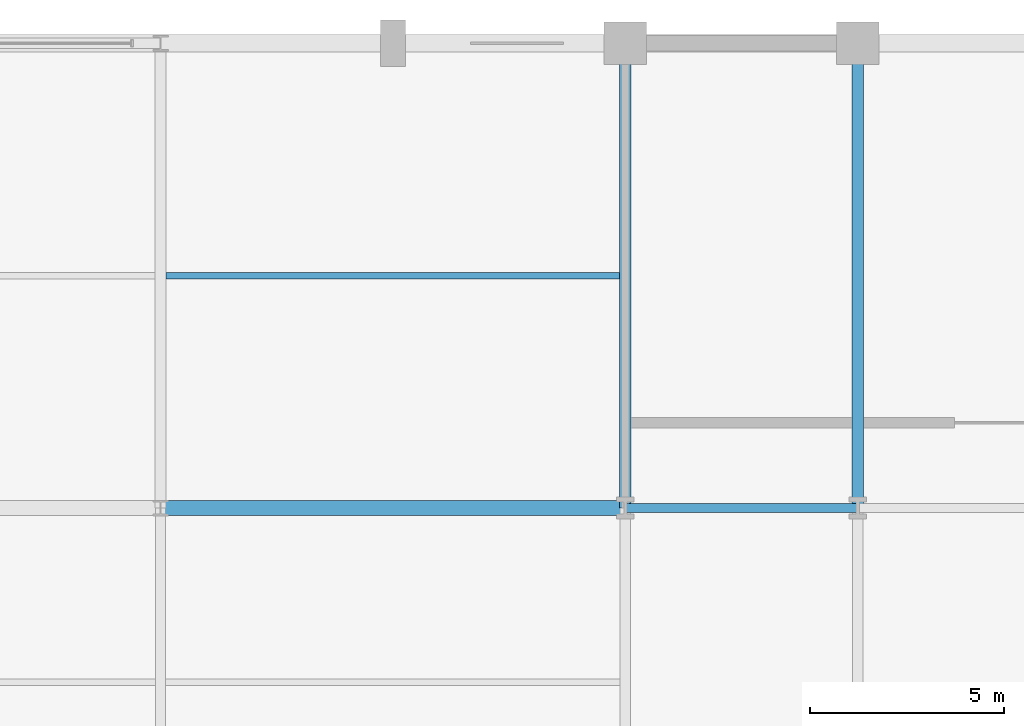
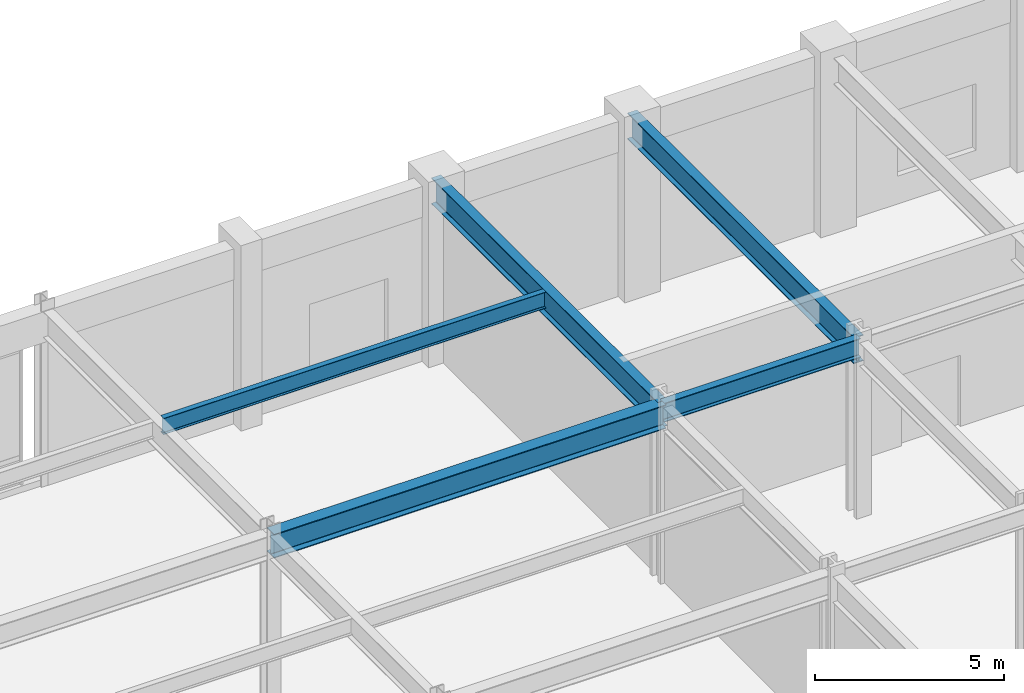
# One storey, part 29 of 105: 5 beams.
"""IFC4 building model written with IfcOpenShell, lengths in metres."""

import ifcopenshell
import ifcopenshell.guid

model = None  # the IFC model being written
_history = None  # IfcOwnerHistory: only IFC2X3 demands one
_inside = {}  # id of a spatial element -> (the spatial element, [elements in it])
_under = {}  # id of a project, library or spatial element -> (it, [spatial elements below it])
_declared = {}  # id of a project -> (the project, [libraries it declares])
_typed = {}  # id of a type object -> (the type object, [elements of that type])
_made_of = {}  # id of a material, layer set ... -> (it, [elements and type objects made of it])


def new_model(schema):
    """Start an empty IFC model of exactly this schema.

    Asked for "IFC4X3", IfcOpenShell would pick the latest addendum, in which some entities
    have other attributes; the version numbers below select the first issue.
    IFC2X3 requires an IfcOwnerHistory on every rooted entity: one is made here for all.
    """
    global model, _history
    if schema == "IFC4X3":
        model = ifcopenshell.file(schema_version=(4, 3, 0, 0))
    else:
        model = ifcopenshell.file(schema=schema)
    _inside.clear()
    _under.clear()
    _declared.clear()
    _typed.clear()
    _made_of.clear()
    _history = None
    if model.schema == "IFC2X3":
        org = make("IfcOrganization", Name="unknown")
        user = make(
            "IfcPersonAndOrganization",
            ThePerson=make("IfcPerson", FamilyName="unknown"),
            TheOrganization=org,
        )
        app = make(
            "IfcApplication",
            ApplicationDeveloper=org,
            Version="unknown",
            ApplicationFullName="unknown",
            ApplicationIdentifier="unknown",
        )
        _history = make(
            "IfcOwnerHistory",
            OwningUser=user,
            OwningApplication=app,
            ChangeAction="ADDED",
            CreationDate=0,
        )
    return model


def make(cls, **values):
    """One entity of the class cls with the attributes given. An attribute that is None is left unset."""
    return model.create_entity(
        cls, **{name: value for name, value in values.items() if value is not None}
    )


def rooted(cls, **values):
    """An entity with a GlobalId (a new one), such as an element, a storey or a relation."""
    return make(cls, GlobalId=ifcopenshell.guid.new(), OwnerHistory=_history, **values)


def si_unit(unit_type, name, prefix=None):
    """IfcSIUnit, for example si_unit("LENGTHUNIT", "METRE", prefix="MILLI")."""
    return make("IfcSIUnit", UnitType=unit_type, Prefix=prefix, Name=name)


def assignment(units):
    """IfcUnitAssignment: the units of a project."""
    return None if units is None else make("IfcUnitAssignment", Units=units)


def point(xyz):
    """IfcCartesianPoint."""
    return None if xyz is None else make("IfcCartesianPoint", Coordinates=xyz)


def direction(xyz):
    """IfcDirection."""
    return None if xyz is None else make("IfcDirection", DirectionRatios=xyz)


def frame(location, z_axis=None, x_axis=None):
    """IfcAxis2Placement3D, a coordinate frame: its origin and axes. An axis left out is left unset."""
    return make(
        "IfcAxis2Placement3D",
        Location=point(location),
        Axis=direction(z_axis),
        RefDirection=direction(x_axis),
    )


def frame_2d(location, x_axis=None):
    """IfcAxis2Placement2D, a coordinate frame in the plane: its origin and x axis."""
    return make(
        "IfcAxis2Placement2D", Location=point(location), RefDirection=direction(x_axis)
    )


def origin():
    """The frame at (0, 0, 0) with its axes left unset."""
    return frame((0.0, 0.0, 0.0))


def origin_2d():
    """The frame at (0, 0) in the plane with its x axis left unset."""
    return frame_2d((0.0, 0.0))


def place(relative_to, where):
    """IfcLocalPlacement: puts the frame where relative to a parent placement (None: the world)."""
    return make(
        "IfcLocalPlacement", PlacementRelTo=relative_to, RelativePlacement=where
    )


def context(
    kind, dimensions, precision=None, world=None, true_north=None, identifier=None
):
    """IfcGeometricRepresentationContext, for example the 3D "Model" context."""
    return make(
        "IfcGeometricRepresentationContext",
        ContextIdentifier=identifier,
        ContextType=kind,
        CoordinateSpaceDimension=dimensions,
        Precision=precision,
        WorldCoordinateSystem=world,
        TrueNorth=true_north,
    )


def subcontext(parent, identifier, kind, view, scale=None):
    """IfcGeometricRepresentationSubContext, for example "Body" below "Model"."""
    return make(
        "IfcGeometricRepresentationSubContext",
        ContextIdentifier=identifier,
        ContextType=kind,
        ParentContext=parent,
        TargetScale=scale,
        TargetView=view,
    )


def project(units=None, contexts=None):
    """IfcProject with its units and contexts."""
    return rooted(
        "IfcProject",
        Name="project",
        RepresentationContexts=contexts,
        UnitsInContext=assignment(units),
    )


def spatial(cls, under=None, at=None, **own):
    """A site, building, storey or space (cls), placed at a placement, below another one or the project."""
    s = rooted(cls, ObjectPlacement=at, **own)
    if under is not None:
        _under.setdefault(under.id(), (under, []))[1].append(s)
    return s


def profile(cls, at=None, kind="AREA", **sizes):
    """A parametric profile (cls). Its sizes go by their IFC names, for example OverallWidth=200.0."""
    return make(cls, ProfileType=kind, Position=at, **sizes)


def i_section(**sizes):
    """IfcIShapeProfileDef."""
    return profile("IfcIShapeProfileDef", **sizes)


def extrude(swept, where, along, depth):
    """IfcExtrudedAreaSolid: the profile swept, set in the frame where, extruded along a direction by depth."""
    return make(
        "IfcExtrudedAreaSolid",
        SweptArea=swept,
        Position=where,
        ExtrudedDirection=direction(along),
        Depth=depth,
    )


def shape(context_of_items, identifier, shape_type, items):
    """IfcShapeRepresentation: the items that make up one representation, for example the "Body"."""
    return make(
        "IfcShapeRepresentation",
        ContextOfItems=context_of_items,
        RepresentationIdentifier=identifier,
        RepresentationType=shape_type,
        Items=items,
    )


def material(Name=None, Category=None):
    """IfcMaterial."""
    return make("IfcMaterial", Name=Name, Category=Category)


def material_profile(
    of_material, cross_section, Name=None, Category=None, Priority=None
):
    """IfcMaterialProfile: a cross section and its material."""
    return make(
        "IfcMaterialProfile",
        Name=Name,
        Material=of_material,
        Profile=cross_section,
        Priority=Priority,
        Category=Category,
    )


def profile_set(profiles, Name=None, composite=None):
    """IfcMaterialProfileSet."""
    return make(
        "IfcMaterialProfileSet",
        Name=Name,
        MaterialProfiles=profiles,
        CompositeProfile=composite,
    )


def made_of(thing, what):
    """Note that an element or type object is made of a material, layer set ...; save() writes the relation."""
    if what is not None:
        _made_of.setdefault(what.id(), (what, []))[1].append(thing)
    return thing


def type_object(cls, material=None, **own):
    """A type object (cls), such as IfcWallType, which elements share."""
    return made_of(rooted(cls, **own), material)


def element(
    cls,
    number,
    at=None,
    inside=None,
    cuts=None,
    type_object=None,
    material=None,
    context=None,
    identifier="Body",
    shape_type=None,
    held_by="IfcProductDefinitionShape",
    body=None,
    shapes=None,
    **own,
):
    """One element of the class cls, such as IfcWall. Its Tag is "e" and its number.

    at: its placement. inside: the storey or other place that contains it. cuts: it is an
    opening in that element (IfcRelVoidsElement). A single representation is given by context,
    identifier, shape_type and body (its items); several are given by shapes. held_by: the class
    of the entity that holds the representations. save() writes the other relations.
    """
    e = rooted(cls, Tag="e%d" % number, ObjectPlacement=at, **own)
    if body is not None:
        shapes = [shape(context, identifier, shape_type, body)]
    if shapes is not None:
        e.Representation = make(held_by, Representations=shapes)
    if inside is not None:
        _inside.setdefault(inside.id(), (inside, []))[1].append(e)
    if cuts is not None:
        rooted(
            "IfcRelVoidsElement", RelatingBuildingElement=cuts, RelatedOpeningElement=e
        )
    if type_object is not None:
        _typed.setdefault(type_object.id(), (type_object, []))[1].append(e)
    return made_of(e, material)


def aggregate(whole, parts):
    """IfcRelAggregates: a whole, such as a stair, and the parts it consists of."""
    return rooted("IfcRelAggregates", RelatingObject=whole, RelatedObjects=parts)


def save(model, path):
    """Write the relations noted so far, then the file.

    IfcRelAggregates (storeys below a building ...), IfcRelContainedInSpatialStructure (elements
    in a storey), IfcRelDefinesByType, IfcRelAssociatesMaterial and IfcRelDeclares: one each for
    every whole, place, type object, material and project.
    """
    for whole, parts in _under.values():
        aggregate(whole, parts)
    for where, things in _inside.values():
        rooted(
            "IfcRelContainedInSpatialStructure",
            RelatedElements=things,
            RelatingStructure=where,
        )
    for kind, things in _typed.values():
        rooted("IfcRelDefinesByType", RelatedObjects=things, RelatingType=kind)
    for what, things in _made_of.values():
        rooted("IfcRelAssociatesMaterial", RelatedObjects=things, RelatingMaterial=what)
    for by, libraries in _declared.values():
        rooted("IfcRelDeclares", RelatingContext=by, RelatedDefinitions=libraries)
    model.write(path)


model = new_model("IFC4")

# Units and contexts
model_context = context("Model", 3, precision=1e-05, world=origin(), true_north=direction((0.0, 1.0)))
body_context = subcontext(model_context, "Body", "Model", "MODEL_VIEW")
ifc_project = project(units=[si_unit("LENGTHUNIT", "METRE"), si_unit("AREAUNIT", "SQUARE_METRE"), si_unit("VOLUMEUNIT", "CUBIC_METRE"), si_unit("PLANEANGLEUNIT", "RADIAN"), si_unit("MASSUNIT", "GRAM", prefix="KILO")], contexts=[model_context])

# Site, building, storey
site_placement = place(None, origin())
site = spatial("IfcSite", under=ifc_project, at=site_placement, CompositionType="ELEMENT")
building_placement = place(site_placement, origin())
building = spatial("IfcBuilding", under=site, at=building_placement, Name="Kaldorvane Square Convention Centre", CompositionType="ELEMENT")
storey_placement = place(building_placement, frame((0.0, 0.0, 6.0)))
storey = spatial("IfcBuildingStorey", under=building, at=storey_placement, Name="L01", CompositionType="ELEMENT", Elevation=6.0)

# Beams
ifc_material = material(Name="Steel ASTM A992 Gr. 50", Category="steel")
ifc_material_profile_1 = material_profile(ifc_material, i_section(OverallWidth=0.2303009033203125, OverallDepth=0.61749267578125, WebThickness=0.0131072998046875, FlangeThickness=0.0222015380859375, FilletRadius=0.0126953125, at=origin_2d()), Name="W24X94")
ifc_profile_set_1 = profile_set([ifc_material_profile_1], Name="Steel ASTM A992 Gr. 50")
beam_type_1 = type_object("IfcBeamType", Name="BM-GR-W24X94", PredefinedType="BEAM", material=ifc_profile_set_1)
beam_1_placement = place(storey_placement, frame((24.0, 105.0, 5.3672943115234375), z_axis=(1.0, 0.0, 0.0), x_axis=(0.0, 1.0, 0.0)))
element("IfcBeam", 1, at=beam_1_placement, inside=storey, type_object=beam_type_1, Name="Primary Girder (L01)", PredefinedType="BEAM", context=body_context, shape_type="SweptSolid", body=[
    extrude(i_section(OverallWidth=0.2303009033203125, OverallDepth=0.61749267578125, WebThickness=0.0131072998046875, FlangeThickness=0.0222015380859375, FilletRadius=0.0126953125, at=origin_2d()), origin(), (0.0, 0.0, 1.0), 6.0),
])
ifc_material_profile_2 = material_profile(ifc_material, i_section(OverallWidth=0.380706787109375, OverallDepth=0.773193359375, WebThickness=0.0166015625, FlangeThickness=0.027099609375, FilletRadius=0.0164947509765625, at=origin_2d()), Name="W30X173")
ifc_profile_set_2 = profile_set([ifc_material_profile_2], Name="Steel ASTM A992 Gr. 50")
beam_type_2 = type_object("IfcBeamType", Name="BM-GR-W30X173", PredefinedType="BEAM", material=ifc_profile_set_2)
beam_2_placement = place(storey_placement, frame((12.0, 105.0, 5.289398193359375), z_axis=(1.0, 0.0, 0.0), x_axis=(0.0, 1.0, 0.0)))
element("IfcBeam", 2, at=beam_2_placement, inside=storey, type_object=beam_type_2, Name="Primary Girder (L01)", PredefinedType="BEAM", context=body_context, shape_type="SweptSolid", body=[
    extrude(i_section(OverallWidth=0.380706787109375, OverallDepth=0.773193359375, WebThickness=0.0166015625, FlangeThickness=0.027099609375, FilletRadius=0.0164947509765625, at=origin_2d()), origin(), (0.0, 0.0, 1.0), 12.0),
])
ifc_material_profile_3 = material_profile(ifc_material, i_section(OverallWidth=0.292999267578125, OverallDepth=0.845794677734375, WebThickness=0.0153961181640625, FlangeThickness=0.0243988037109375, FilletRadius=0.0178070068359375, at=origin_2d()), Name="W33X141")
ifc_profile_set_3 = profile_set([ifc_material_profile_3], Name="Steel ASTM A992 Gr. 50")
beam_type_3 = type_object("IfcBeamType", Name="BM-GR-W33X141", PredefinedType="BEAM", material=ifc_profile_set_3)
for number, where, z_axis, x_axis, name in (
    (3, (24.0, 105.0, 5.2530975341796875), (0.0, 1.0, 0.0), (-1.0, 0.0, 0.0), "Transverse Girder (L01)"),
    (4, (30.0, 105.0, 5.2530975341796875), (0.0, 1.0, 0.0), (-1.0, 0.0, 0.0), "Transverse Girder (L01)"),
):
    element("IfcBeam", number, at=place(storey_placement, frame(where, z_axis=z_axis, x_axis=x_axis)), inside=storey, type_object=beam_type_3, Name=name, PredefinedType="BEAM", context=body_context, shape_type="SweptSolid", body=[
        extrude(i_section(OverallWidth=0.292999267578125, OverallDepth=0.845794677734375, WebThickness=0.0153961181640625, FlangeThickness=0.0243988037109375, FilletRadius=0.0178070068359375, at=origin_2d()), origin(), (0.0, 0.0, 1.0), 12.0),
    ])
ifc_material_profile_4 = material_profile(ifc_material, i_section(OverallWidth=0.1658935546875, OverallDepth=0.5290985107421875, WebThickness=0.00970458984375, FlangeThickness=0.0135955810546875, FilletRadius=0.0126953125, at=origin_2d()), Name="W21X50")
ifc_profile_set_4 = profile_set([ifc_material_profile_4], Name="Steel ASTM A992 Gr. 50")
beam_type_4 = type_object("IfcBeamType", Name="BM-JS-W21X50", PredefinedType="JOIST", material=ifc_profile_set_4)
beam_3_placement = place(storey_placement, frame((12.146499633789062, 111.0, 5.4114990234375), z_axis=(1.0, 0.0, 0.0), x_axis=(0.0, 1.0, 0.0)))
element("IfcBeam", 5, at=beam_3_placement, inside=storey, type_object=beam_type_4, Name="Secondary Floor Joist (L01)", PredefinedType="JOIST", context=body_context, shape_type="SweptSolid", body=[
    extrude(i_section(OverallWidth=0.1658935546875, OverallDepth=0.5290985107421875, WebThickness=0.00970458984375, FlangeThickness=0.0135955810546875, FilletRadius=0.0126953125, at=origin_2d()), origin(), (0.0, 0.0, 1.0), 11.707000732421875),
])

save(model, "model.ifc")
